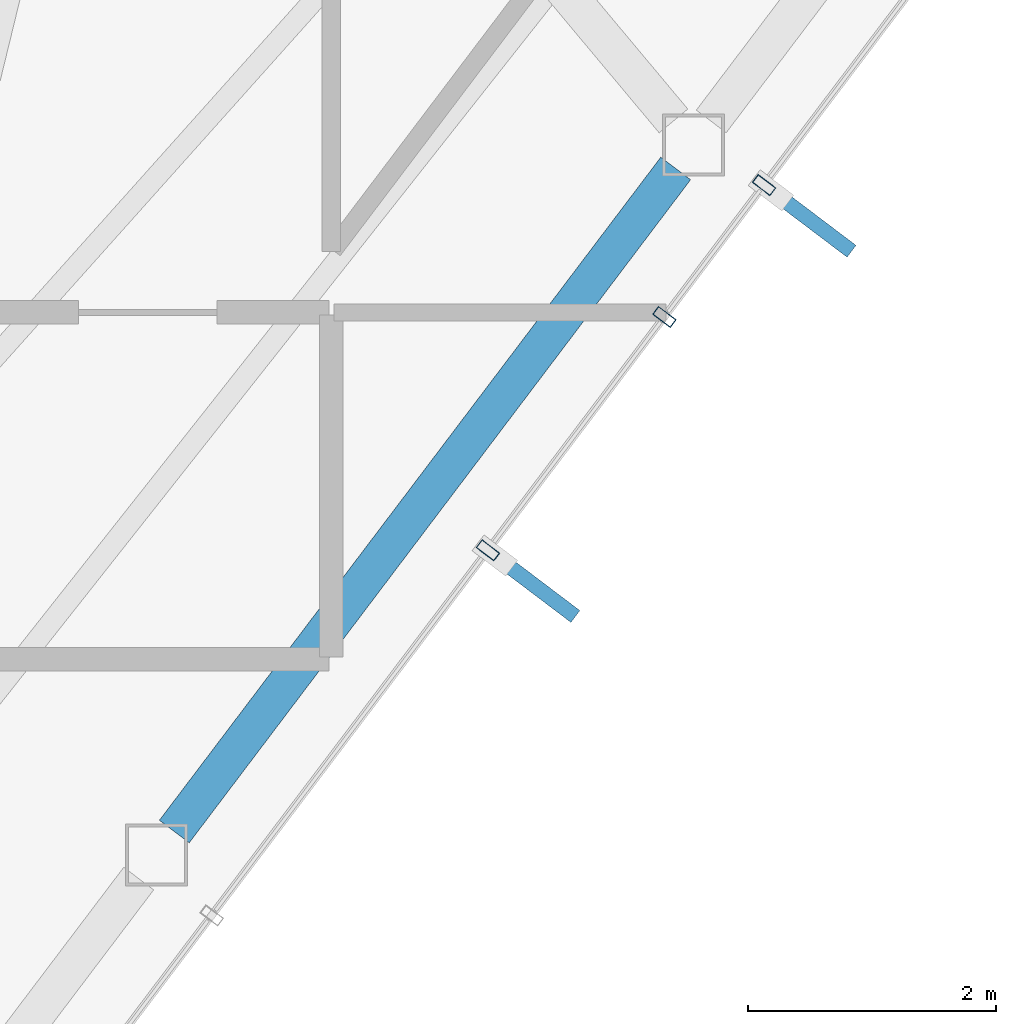
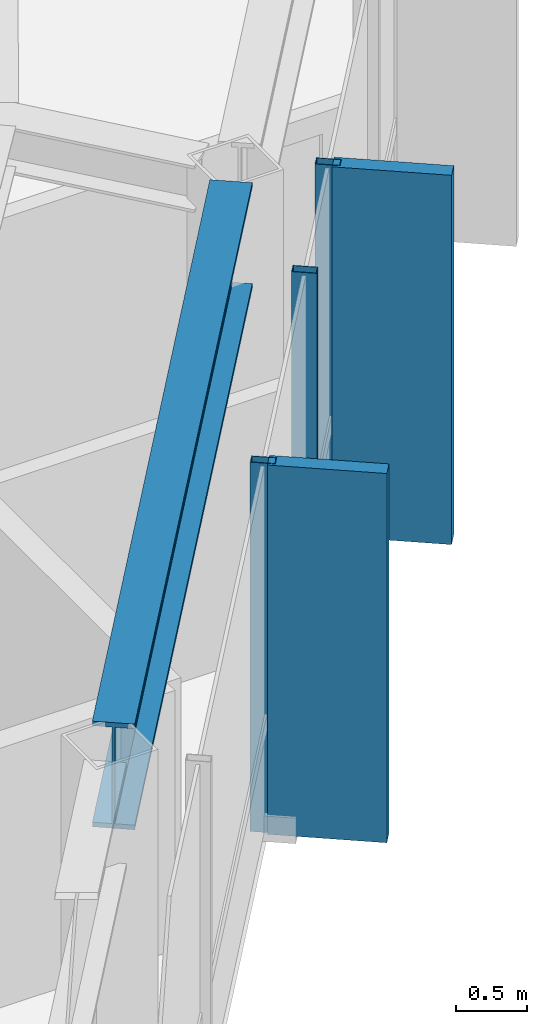
# One storey, part 15 of 24: 5 members, 1 beam, 1 element without a shape of its own.
"""IFC4 building model written with IfcOpenShell, lengths in metres."""

from ifc_helpers import new_model, si_unit, direction, frame, origin, origin_2d, place, context, subcontext, project, spatial, rectangle, hollow_rectangle, i_section, extrude, material, layer, layer_set, material_profile, profile_set, type_object, element, aggregate, save


model = new_model("IFC4")

# Units and contexts
model_context = context("Model", 3, precision=1e-05, world=origin(), true_north=direction((0.0, 1.0)))
body_context = subcontext(model_context, "Body", "Model", "MODEL_VIEW")
ifc_project = project(units=[si_unit("LENGTHUNIT", "METRE"), si_unit("AREAUNIT", "SQUARE_METRE"), si_unit("VOLUMEUNIT", "CUBIC_METRE"), si_unit("PLANEANGLEUNIT", "RADIAN"), si_unit("MASSUNIT", "GRAM", prefix="KILO")], contexts=[model_context])

# Site, building, storey
site_placement = place(None, origin())
site = spatial("IfcSite", under=ifc_project, at=site_placement, CompositionType="ELEMENT")
building_placement = place(site_placement, origin())
building = spatial("IfcBuilding", under=site, at=building_placement, Name="Zarrinselat Tower", CompositionType="ELEMENT")
storey_placement = place(building_placement, frame((0.0, 0.0, 268.60009765625)))
storey = spatial("IfcBuildingStorey", under=building, at=storey_placement, Name="L68", CompositionType="ELEMENT", Elevation=268.60009765625)

# Beam
ifc_material_1 = material(Name="Steel S460M", Category="steel")
ifc_material_profile_1 = material_profile(ifc_material_1, i_section(OverallWidth=0.302001953125, OverallDepth=0.909912109375, WebThickness=0.02099609375, FlangeThickness=0.0400390625, at=origin_2d()), Name="HEM 900")
ifc_profile_set_1 = profile_set([ifc_material_profile_1], Name="Steel S460M")
beam_type = type_object("IfcBeamType", Name="BM-HEM900", PredefinedType="BEAM", material=ifc_profile_set_1)
beam_placement = place(storey_placement, frame((47.08203125, 25.9599609375, 2.724853515625), z_axis=(0.603161908748, 0.797618776005, 0.0), x_axis=(-0.797618776005, 0.603161908748, 0.0)))
element("IfcBeam", 1, at=beam_placement, inside=storey, type_object=beam_type, Name="L68 Perimeter Spandrel Girder SP12", PredefinedType="BEAM", context=body_context, shape_type="SweptSolid", body=[
    extrude(i_section(OverallWidth=0.302001953125, OverallDepth=0.909912109375, WebThickness=0.02099609375, FlangeThickness=0.0400390625, at=origin_2d()), origin(), (0.0, 0.0, 1.0), 6.710693359375),
])

# Curtain wall, members
ifc_material_2 = material(Name="Extruded Aluminium Alloy EN AW-6063 T6", Category="aluminium")
ifc_layer = layer(ifc_material_2, 0.199951171875)
ifc_layer_set = layer_set([ifc_layer], Name="Extruded Aluminium Alloy EN AW-6063 T6")
curtain_wall_type = type_object("IfcCurtainWallType", Name="CWS-BLADE", PredefinedType="NOTDEFINED", material=ifc_layer_set)
curtain_wall_placement = place(storey_placement, origin())
curtain_wall = element("IfcCurtainWall", 2, at=curtain_wall_placement, inside=storey, type_object=curtain_wall_type, Name="L68 Unitised Curtain Wall CW-L68-E05", PredefinedType="NOTDEFINED")
ifc_material_3 = material(Name="Extruded Aluminium Alloy EN AW-6063 T6", Category="aluminium")
ifc_material_profile_2 = material_profile(ifc_material_3, hollow_rectangle(XDim=0.080078125, YDim=0.179931640625, WallThickness=0.0048828125, at=origin_2d()), Name="RHS 180x80x5")
ifc_profile_set_2 = profile_set([ifc_material_profile_2], Name="Extruded Aluminium Alloy EN AW-6063 T6")
member_type_1 = type_object("IfcMemberType", Name="MEM-CW-MUL", PredefinedType="MULLION", material=ifc_profile_set_2)
member_1_placement = place(storey_placement, frame((49.61376953125, 28.230224609375, 0.0), z_axis=(0.0, 0.0, 1.0), x_axis=(0.603169586453, 0.797612970041, 0.0)))
member_1 = element("IfcMember", 3, at=member_1_placement, type_object=member_type_1, Name="CW-L68-E05 Mullion 3", PredefinedType="MULLION", context=body_context, shape_type="SweptSolid", body=[
    extrude(hollow_rectangle(XDim=0.080078125, YDim=0.179931640625, WallThickness=0.0048828125, at=origin_2d()), origin(), (0.0, 0.0, 1.0), 3.179931640625),
])
member_2_placement = place(storey_placement, frame((51.0380859375, 30.11376953125, 0.0), z_axis=(0.0, 0.0, 1.0), x_axis=(0.603169586453, 0.797612970041, 0.0)))
member_2 = element("IfcMember", 4, at=member_2_placement, type_object=member_type_1, Name="CW-L68-E05 Mullion 4", PredefinedType="MULLION", context=body_context, shape_type="SweptSolid", body=[
    extrude(hollow_rectangle(XDim=0.080078125, YDim=0.179931640625, WallThickness=0.0048828125, at=origin_2d()), origin(), (0.0, 0.0, 1.0), 3.179931640625),
])
member_3_placement = place(storey_placement, frame((51.8427734375, 31.177490234375, 0.0), z_axis=(0.0, 0.0, 1.0), x_axis=(0.603169586453, 0.797612970041, 0.0)))
member_3 = element("IfcMember", 5, at=member_3_placement, type_object=member_type_1, Name="CW-L68-E05 Mullion 5", PredefinedType="MULLION", context=body_context, shape_type="SweptSolid", body=[
    extrude(hollow_rectangle(XDim=0.080078125, YDim=0.179931640625, WallThickness=0.0048828125, at=origin_2d()), origin(), (0.0, 0.0, 1.0), 3.179931640625),
])
ifc_material_4 = material(Name="Honed Cream Travertine Stone", Category="masonry")
ifc_material_profile_3 = material_profile(ifc_material_4, rectangle(XDim=0.1201171875, YDim=0.85009765625, at=origin_2d()), Name="FIN 850x120")
ifc_profile_set_3 = profile_set([ifc_material_profile_3], Name="Honed Cream Travertine Stone")
member_type_2 = type_object("IfcMemberType", Name="MEM-STONE-FIN", PredefinedType="USERDEFINED", material=ifc_profile_set_3)
member_4_placement = place(storey_placement, frame((49.980712890625, 27.95263671875, 0.0), z_axis=(0.0, 0.0, 1.0), x_axis=(-0.603169586453, -0.797612970041, 0.0)))
member_4 = element("IfcMember", 6, at=member_4_placement, type_object=member_type_2, Name="L68 Stone Shading Fin CW-L68-E05-03", ObjectType="FIN", PredefinedType="USERDEFINED", context=body_context, shape_type="SweptSolid", body=[
    extrude(rectangle(XDim=0.1201171875, YDim=0.85009765625, at=origin_2d()), origin(), (0.0, 0.0, 1.0), 3.179931640625),
])
member_5_placement = place(storey_placement, frame((52.209716796875, 30.900146484375, 0.0), z_axis=(0.0, 0.0, 1.0), x_axis=(-0.603169586453, -0.797612970041, 0.0)))
member_5 = element("IfcMember", 7, at=member_5_placement, type_object=member_type_2, Name="L68 Stone Shading Fin CW-L68-E05-05", ObjectType="FIN", PredefinedType="USERDEFINED", context=body_context, shape_type="SweptSolid", body=[
    extrude(rectangle(XDim=0.1201171875, YDim=0.85009765625, at=origin_2d()), origin(), (0.0, 0.0, 1.0), 3.179931640625),
])
aggregate(curtain_wall, [member_1, member_4, member_2, member_3, member_5])

save(model, "model.ifc")
